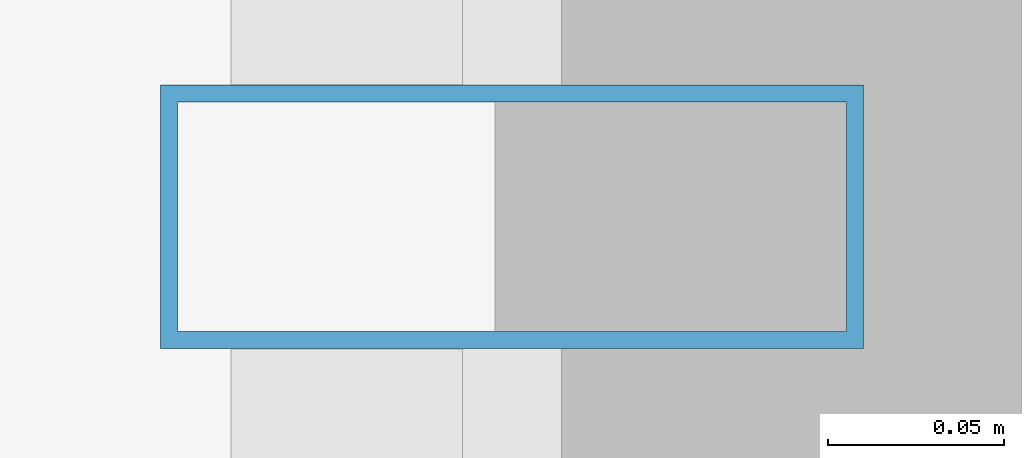
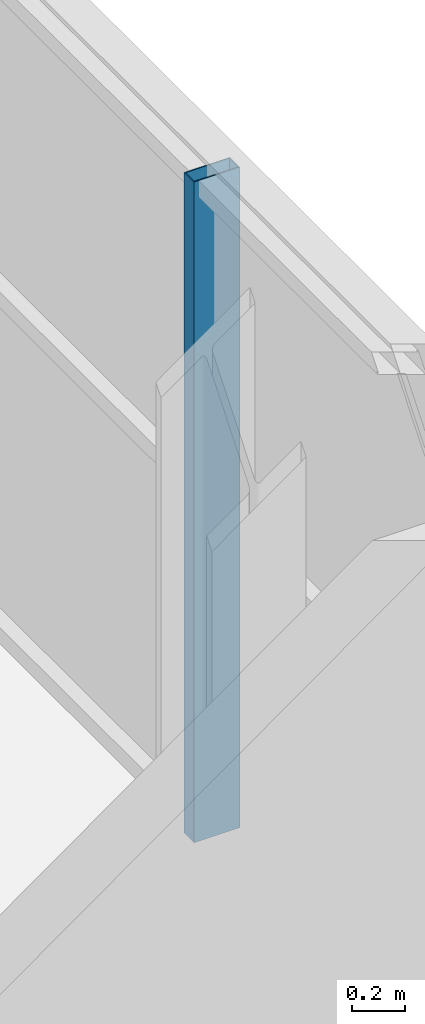
# One storey, part 15 of 31: 1 member, 1 element without a shape of its own.
"""IFC4 building model written with IfcOpenShell, lengths in metres."""

from ifc_helpers import new_model, si_unit, direction, frame, origin, origin_2d, place, context, subcontext, project, spatial, hollow_rectangle, extrude, source, transform, mapped, material, layer, layer_set, material_profile, profile_set, type_object, element, aggregate, save


model = new_model("IFC4")

# Units and contexts
model_context = context("Model", 3, precision=1e-05, world=origin(), true_north=direction((0.0, 1.0)))
body_context = subcontext(model_context, "Body", "Model", "MODEL_VIEW")
ifc_project = project(units=[si_unit("LENGTHUNIT", "METRE"), si_unit("AREAUNIT", "SQUARE_METRE"), si_unit("VOLUMEUNIT", "CUBIC_METRE"), si_unit("PLANEANGLEUNIT", "RADIAN"), si_unit("MASSUNIT", "GRAM", prefix="KILO")], contexts=[model_context])

# Site, building, storey
site_placement = place(None, origin())
site = spatial("IfcSite", under=ifc_project, at=site_placement, CompositionType="ELEMENT")
building_placement = place(site_placement, origin())
building = spatial("IfcBuilding", under=site, at=building_placement, Name="Zarnakvel Exchange Tower", CompositionType="ELEMENT")
storey_placement = place(building_placement, frame((0.0, 0.0, 67.0)))
storey = spatial("IfcBuildingStorey", under=building, at=storey_placement, Name="L18", CompositionType="ELEMENT", Elevation=67.0)

# Curtain wall, member
ifc_material = material(Name="Architectural Bronze Anodised Aluminium", Category="aluminium")
ifc_layer = layer(ifc_material, 0.199951171875)
ifc_layer_set = layer_set([ifc_layer], Name="Architectural Bronze Anodised Aluminium")
curtain_wall_type = type_object("IfcCurtainWallType", Name="CW-04", PredefinedType="NOTDEFINED", material=ifc_layer_set)
curtain_wall_placement = place(storey_placement, origin())
curtain_wall = element("IfcCurtainWall", 1, at=curtain_wall_placement, inside=storey, type_object=curtain_wall_type, Name="L18 Curtain Wall CW-L18-E1 (CW-04)", PredefinedType="NOTDEFINED")
ifc_material_profile = material_profile(ifc_material, hollow_rectangle(XDim=0.199951171875, YDim=0.074951171875, WallThickness=0.0048828125, at=origin_2d()))
ifc_profile_set = profile_set([ifc_material_profile], Name="Architectural Bronze Anodised Aluminium")
member_type = type_object("IfcMemberType", Name="CWM-04", PredefinedType="MULLION", material=ifc_profile_set)
shared_shape = source(origin(), body_context, "Body", "SweptSolid", [
    extrude(hollow_rectangle(XDim=0.199951171875, YDim=0.074951171875, WallThickness=0.0048828125, at=origin_2d()), origin(), (0.0, 0.0, 1.0), 3.054931640625),
])
member_placement = place(storey_placement, frame((32.4599609375, 0.0, 0.0), z_axis=(0.0, 0.0, 1.0), x_axis=(-1.0, 0.0, 0.0)))
member = element("IfcMember", 2, at=member_placement, type_object=member_type, Name="CW-04 mullion 3", PredefinedType="MULLION", context=body_context, shape_type="MappedRepresentation", body=[
    mapped(shared_shape, transform((0.0, 0.0, 0.0), x_axis=(1.0, 0.0, 0.0), y_axis=(0.0, 1.0, 0.0), z_axis=(0.0, 0.0, 1.0), scale=1.0)),
])
aggregate(curtain_wall, [member])

save(model, "model.ifc")
